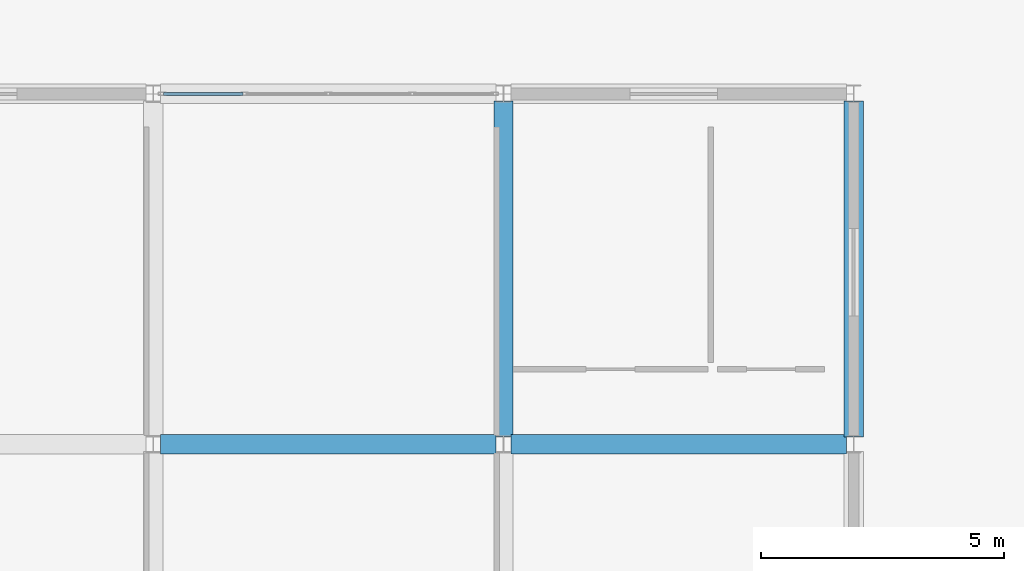
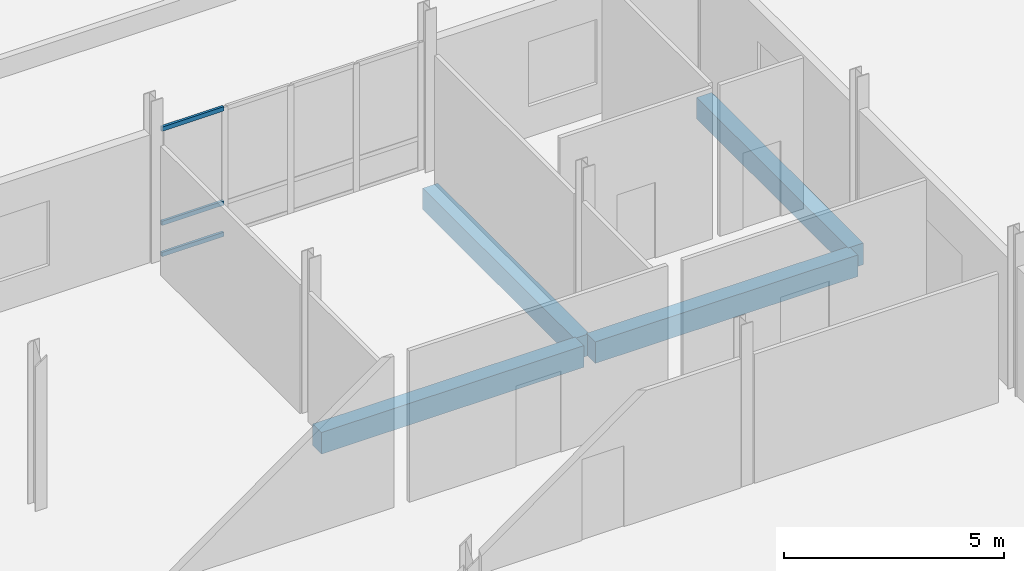
# One storey, part 89 of 139: 4 beams, 3 members, 1 element without a shape of its own.
"""IFC4 building model written with IfcOpenShell, lengths in metres."""

from ifc_helpers import new_model, si_unit, direction, frame, origin, origin_2d, place, context, subcontext, project, spatial, rectangle, hollow_rectangle, extrude, material, material_profile, profile_set, type_object, element, aggregate, save


model = new_model("IFC4")

# Units and contexts
model_context = context("Model", 3, precision=1e-05, world=origin(), true_north=direction((0.0, 1.0)))
body_context = subcontext(model_context, "Body", "Model", "MODEL_VIEW")
ifc_project = project(units=[si_unit("LENGTHUNIT", "METRE"), si_unit("AREAUNIT", "SQUARE_METRE"), si_unit("VOLUMEUNIT", "CUBIC_METRE"), si_unit("PLANEANGLEUNIT", "RADIAN"), si_unit("MASSUNIT", "GRAM", prefix="KILO")], contexts=[model_context])

# Site, building, storey
site_placement = place(None, origin())
site = spatial("IfcSite", under=ifc_project, at=site_placement, CompositionType="ELEMENT")
building_placement = place(site_placement, origin())
building = spatial("IfcBuilding", under=site, at=building_placement, Name="Suanplinth Sawtooth Commons", CompositionType="ELEMENT")
storey_placement = place(building_placement, origin())
storey = spatial("IfcBuildingStorey", under=building, at=storey_placement, Name="L00", CompositionType="ELEMENT", Elevation=0.0)

# Beams
ifc_material_1 = material(Name="Precast concrete C40/50", Category="concrete")
ifc_material_profile_1 = material_profile(ifc_material_1, rectangle(XDim=0.39990234375, YDim=0.60009765625, at=origin_2d()), Name="PC-GDR 400x600")
ifc_profile_set_1 = profile_set([ifc_material_profile_1], Name="Precast concrete C40/50")
beam_type = type_object("IfcBeamType", Name="B-05", PredefinedType="USERDEFINED", material=ifc_profile_set_1)
for number, where, z_axis, x_axis, name in (
    (1, (158.550048828125, 64.800048828125, -0.719970703125), (1.0, 0.0, 0.0), (0.0, 1.0, 0.0), "BMX-L00-NURS-22-9"),
    (2, (165.75, 64.800048828125, -0.719970703125), (1.0, 0.0, 0.0), (0.0, 1.0, 0.0), "BMX-L00-NURS-23-9"),
):
    element("IfcBeam", number, at=place(storey_placement, frame(where, z_axis=z_axis, x_axis=x_axis)), inside=storey, type_object=beam_type, Name=name, ObjectType="GIRDER", PredefinedType="USERDEFINED", context=body_context, shape_type="SweptSolid", body=[
        extrude(rectangle(XDim=0.39990234375, YDim=0.60009765625, at=origin_2d()), origin(), (0.0, 0.0, 1.0), 6.89990234375),
    ])
for number, where, z_axis, x_axis, name in (
    (3, (165.60009765625, 64.949951171875, -0.719970703125), (0.0, 1.0, 0.0), (-1.0, 0.0, 0.0), "BMY-L00-NURS-23-9"),
    (4, (172.800048828125, 64.949951171875, -0.719970703125), (0.0, 1.0, 0.0), (-1.0, 0.0, 0.0), "BMY-L00-NURS-24-9"),
):
    element("IfcBeam", number, at=place(storey_placement, frame(where, z_axis=z_axis, x_axis=x_axis)), inside=storey, type_object=beam_type, Name=name, ObjectType="GIRDER", PredefinedType="USERDEFINED", context=body_context, shape_type="SweptSolid", body=[
        extrude(rectangle(XDim=0.39990234375, YDim=0.60009765625, at=origin_2d()), origin(), (0.0, 0.0, 1.0), 6.900146484375),
    ])

# Curtain wall, members
ifc_material_2 = material(Name="Anodized aluminium and low-E glazing", Category="aluminium")
curtain_wall_type = type_object("IfcCurtainWallType", Name="CW-02", PredefinedType="USERDEFINED", material=ifc_material_2)
curtain_wall_placement = place(storey_placement, origin())
curtain_wall = element("IfcCurtainWall", 5, at=curtain_wall_placement, inside=storey, type_object=curtain_wall_type, Name="Curtain Wall CW-L00-NURS-N-22", ObjectType="CURTAIN WALL", PredefinedType="USERDEFINED")
ifc_material_3 = material(Name="Anodized aluminium 6063-T6", Category="aluminium")
ifc_material_profile_2 = material_profile(ifc_material_3, hollow_rectangle(XDim=0.06494140625, YDim=0.1201171875, WallThickness=0.00390625, at=origin_2d()), Name="ALU-TRN 65x120")
ifc_profile_set_2 = profile_set([ifc_material_profile_2], Name="Anodized aluminium 6063-T6")
member_type = type_object("IfcMemberType", Name="M-15", PredefinedType="USERDEFINED", material=ifc_profile_set_2)
member_1_placement = place(storey_placement, frame((158.614990234375, 72.0, 0.032470703125), z_axis=(1.0, 0.0, 0.0), x_axis=(0.0, 1.0, 0.0)))
member_1 = element("IfcMember", 6, at=member_1_placement, type_object=member_type, Name="CW-02 transom 1.1", ObjectType="TRANSOM", PredefinedType="USERDEFINED", context=body_context, shape_type="SweptSolid", body=[
    extrude(hollow_rectangle(XDim=0.06494140625, YDim=0.1201171875, WallThickness=0.00390625, at=origin_2d()), origin(), (0.0, 0.0, 1.0), 1.62744140625),
])
member_2_placement = place(storey_placement, frame((158.614990234375, 72.0, 0.89990234375), z_axis=(1.0, 0.0, 0.0), x_axis=(0.0, 1.0, 0.0)))
member_2 = element("IfcMember", 7, at=member_2_placement, type_object=member_type, Name="CW-02 transom 1.2", ObjectType="TRANSOM", PredefinedType="USERDEFINED", context=body_context, shape_type="SweptSolid", body=[
    extrude(hollow_rectangle(XDim=0.06494140625, YDim=0.1201171875, WallThickness=0.00390625, at=origin_2d()), origin(), (0.0, 0.0, 1.0), 1.62744140625),
])
member_3_placement = place(storey_placement, frame((158.614990234375, 72.0, 3.517578125), z_axis=(1.0, 0.0, 0.0), x_axis=(0.0, 1.0, 0.0)))
member_3 = element("IfcMember", 8, at=member_3_placement, type_object=member_type, Name="CW-02 transom 1.3", ObjectType="TRANSOM", PredefinedType="USERDEFINED", context=body_context, shape_type="SweptSolid", body=[
    extrude(hollow_rectangle(XDim=0.06494140625, YDim=0.1201171875, WallThickness=0.00390625, at=origin_2d()), origin(), (0.0, 0.0, 1.0), 1.62744140625),
])
aggregate(curtain_wall, [member_1, member_2, member_3])

save(model, "model.ifc")
